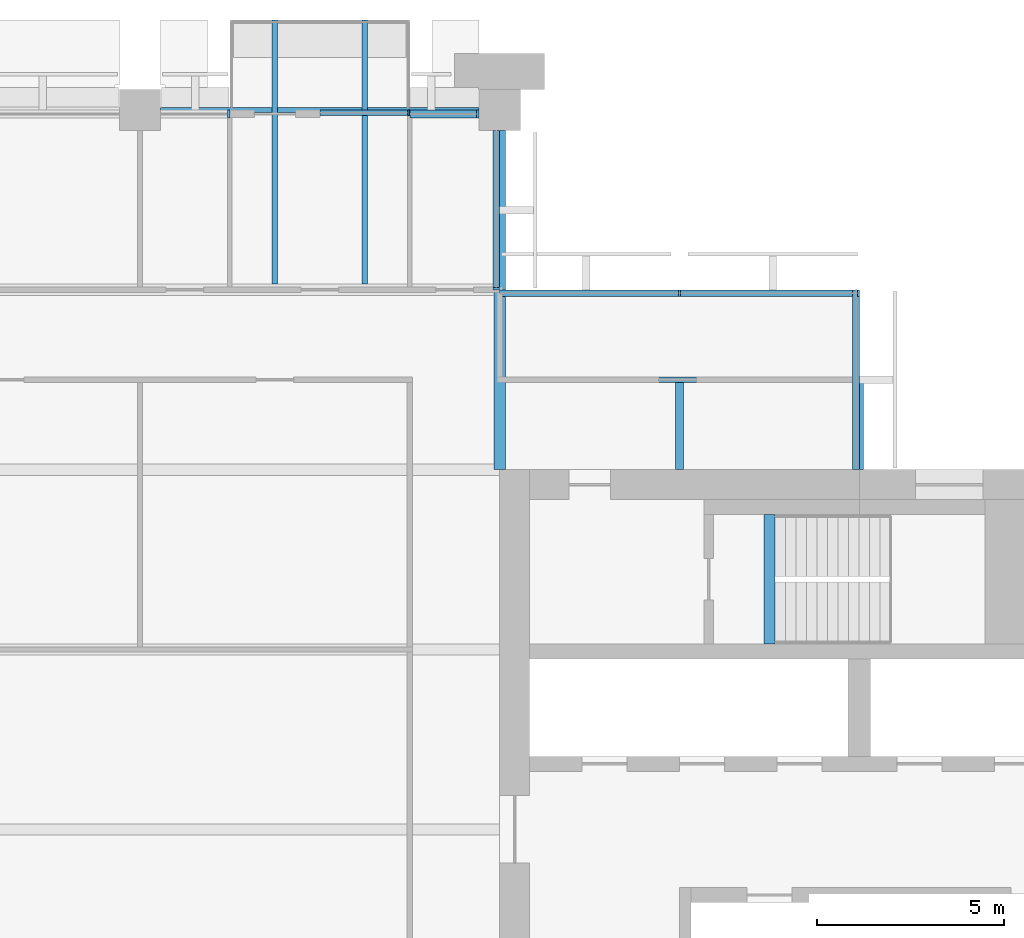
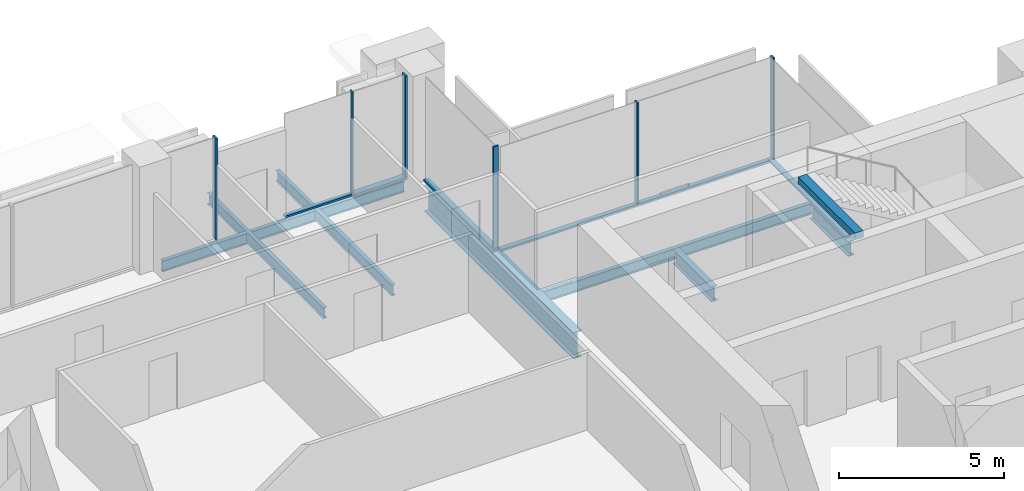
# One storey, part 6 of 14: 11 members, 10 beams, 6 elements without a shape of their own.
"""IFC4 building model written with IfcOpenShell, lengths in metres."""

from ifc_helpers import new_model, si_unit, direction, frame, origin, origin_2d, place, context, subcontext, project, spatial, rectangle, i_section, extrude, material, material_profile, profile_set, type_object, element, aggregate, save


model = new_model("IFC4")

# Units and contexts
model_context = context("Model", 3, precision=1e-05, world=origin(), true_north=direction((0.0, 1.0)))
body_context = subcontext(model_context, "Body", "Model", "MODEL_VIEW")
ifc_project = project(units=[si_unit("LENGTHUNIT", "METRE"), si_unit("AREAUNIT", "SQUARE_METRE"), si_unit("VOLUMEUNIT", "CUBIC_METRE"), si_unit("PLANEANGLEUNIT", "RADIAN"), si_unit("MASSUNIT", "GRAM", prefix="KILO")], contexts=[model_context])

# Site, building, storey
site_placement = place(None, origin())
site = spatial("IfcSite", under=ifc_project, at=site_placement, CompositionType="ELEMENT")
building_placement = place(site_placement, origin())
building = spatial("IfcBuilding", under=site, at=building_placement, Name="Baori Bourse Tower", CompositionType="ELEMENT")
storey_placement = place(building_placement, frame((0.0, 0.0, 221.199951171875)))
storey = spatial("IfcBuildingStorey", under=building, at=storey_placement, Name="L48", CompositionType="ELEMENT", Elevation=221.199951171875)

# Beams
ifc_material_1 = material(Name="Steel A992 Gr 50", Category="steel")
ifc_material_profile_1 = material_profile(ifc_material_1, i_section(OverallWidth=0.140380859375, OverallDepth=0.40380859375, WebThickness=0.007080078125, FlangeThickness=0.01123046875, at=origin_2d()), Name="W16x31")
ifc_profile_set_1 = profile_set([ifc_material_profile_1], Name="Steel A992 Gr 50")
beam_type_1 = type_object("IfcBeamType", Name="Balcony beam W16x31", PredefinedType="BEAM", material=ifc_profile_set_1)
for number, where, z_axis, x_axis, name in (
    (1, (32.39990234375, 50.39990234375, -0.36181640625), (0.0, -1.0, 0.0), (1.0, 0.0, 0.0), "Balcony beam L48"),
    (2, (34.800048828125, 50.39990234375, -0.36181640625), (0.0, -1.0, 0.0), (1.0, 0.0, 0.0), "Balcony beam L48"),
):
    element("IfcBeam", number, at=place(storey_placement, frame(where, z_axis=z_axis, x_axis=x_axis)), inside=storey, type_object=beam_type_1, Name=name, PredefinedType="BEAM", context=body_context, shape_type="SweptSolid", body=[
        extrude(i_section(OverallWidth=0.140380859375, OverallDepth=0.40380859375, WebThickness=0.007080078125, FlangeThickness=0.01123046875, at=origin_2d()), origin(), (0.0, 0.0, 1.0), 7.050048828125),
    ])

# Curtain wall, members
ifc_material_2 = material(Name="Pale anodised aluminium", Category="aluminium")
curtain_wall_type_1 = type_object("IfcCurtainWallType", Name="CW2 Curtain wall", PredefinedType="NOTDEFINED", material=ifc_material_2)
curtain_wall_1_placement = place(storey_placement, origin())
curtain_wall_1 = element("IfcCurtainWall", 3, at=curtain_wall_1_placement, inside=storey, type_object=curtain_wall_type_1, Name="Curtain wall CW2 L48 2", PredefinedType="NOTDEFINED")
ifc_material_3 = material(Name="Pale anodised aluminium", Category="aluminium")
ifc_material_profile_2 = material_profile(ifc_material_3, rectangle(XDim=0.179931640625, YDim=0.054931640625, at=origin_2d()), Name="Mullion 55x180")
ifc_profile_set_2 = profile_set([ifc_material_profile_2], Name="Pale anodised aluminium")
member_type_1 = type_object("IfcMemberType", Name="CW2 Curtain wall mullion", PredefinedType="MULLION", material=ifc_profile_set_2)
member_1_placement = place(storey_placement, frame((47.972412109375, 43.110107421875, 0.070068359375), z_axis=(0.0, 0.0, 1.0), x_axis=(0.0, -1.0, 0.0)))
member_1 = element("IfcMember", 4, at=member_1_placement, type_object=member_type_1, Name="Curtain wall CW2 mullion", PredefinedType="MULLION", context=body_context, shape_type="SweptSolid", body=[
    extrude(rectangle(XDim=0.179931640625, YDim=0.054931640625, at=origin_2d()), origin(), (0.0, 0.0, 1.0), 3.77001953125),
])
member_2_placement = place(storey_placement, frame((43.199951171875, 43.110107421875, 0.070068359375), z_axis=(0.0, 0.0, 1.0), x_axis=(0.0, -1.0, 0.0)))
member_2 = element("IfcMember", 5, at=member_2_placement, type_object=member_type_1, Name="Curtain wall CW2 mullion", PredefinedType="MULLION", context=body_context, shape_type="SweptSolid", body=[
    extrude(rectangle(XDim=0.179931640625, YDim=0.054931640625, at=origin_2d()), origin(), (0.0, 0.0, 1.0), 3.77001953125),
])

# Curtain wall, member
curtain_wall_2_placement = place(storey_placement, origin())
curtain_wall_2 = element("IfcCurtainWall", 6, at=curtain_wall_2_placement, inside=storey, type_object=curtain_wall_type_1, Name="Curtain wall CW2 L48 3", PredefinedType="NOTDEFINED")
member_3_placement = place(storey_placement, frame((38.31005859375, 43.2275390625, 0.070068359375), z_axis=(0.0, 0.0, 1.0), x_axis=(-1.0, 0.0, 0.0)))
member_3 = element("IfcMember", 7, at=member_3_placement, type_object=member_type_1, Name="Curtain wall CW2 mullion", PredefinedType="MULLION", context=body_context, shape_type="SweptSolid", body=[
    extrude(rectangle(XDim=0.179931640625, YDim=0.054931640625, at=origin_2d()), origin(), (0.0, 0.0, 1.0), 3.77001953125),
])

curtain_wall_3_placement = place(storey_placement, origin())
curtain_wall_3 = element("IfcCurtainWall", 8, at=curtain_wall_3_placement, inside=storey, type_object=curtain_wall_type_1, Name="Curtain wall CW2 L48 1", PredefinedType="NOTDEFINED")
ifc_material_4 = material(Name="Pale anodised aluminium", Category="aluminium")
ifc_material_profile_3 = material_profile(ifc_material_4, rectangle(XDim=0.179931640625, YDim=0.070068359375, at=origin_2d()), Name="Transom 70x180")
ifc_profile_set_3 = profile_set([ifc_material_profile_3], Name="Pale anodised aluminium")
member_type_2 = type_object("IfcMemberType", Name="CW2 Curtain wall transom", PredefinedType="USERDEFINED", material=ifc_profile_set_3)
member_4_placement = place(storey_placement, frame((47.909912109375, 38.39990234375, 0.03515625), z_axis=(0.0, 1.0, 0.0), x_axis=(-1.0, 0.0, 0.0)))
member_4 = element("IfcMember", 9, at=member_4_placement, type_object=member_type_2, Name="Curtain wall CW2 sill rail", ObjectType="TRANSOM", PredefinedType="USERDEFINED", context=body_context, shape_type="SweptSolid", body=[
    extrude(rectangle(XDim=0.179931640625, YDim=0.070068359375, at=origin_2d()), origin(), (0.0, 0.0, 1.0), 4.800048828125),
])
aggregate(curtain_wall_3, [member_4])

# Member
member_5_placement = place(storey_placement, frame((48.0, 43.110107421875, 0.03515625), z_axis=(-1.0, 0.0, 0.0), x_axis=(0.0, -1.0, 0.0)))
member_5 = element("IfcMember", 10, at=member_5_placement, type_object=member_type_2, Name="Curtain wall CW2 sill rail", ObjectType="TRANSOM", PredefinedType="USERDEFINED", context=body_context, shape_type="SweptSolid", body=[
    extrude(rectangle(XDim=0.179931640625, YDim=0.070068359375, at=origin_2d()), origin(), (0.0, 0.0, 1.0), 9.60009765625),
])

aggregate(curtain_wall_1, [member_5, member_1, member_2])

member_6_placement = place(storey_placement, frame((38.31005859375, 43.199951171875, 0.03515625), z_axis=(0.0, 1.0, 0.0), x_axis=(-1.0, 0.0, 0.0)))
member_6 = element("IfcMember", 11, at=member_6_placement, type_object=member_type_2, Name="Curtain wall CW2 sill rail", ObjectType="TRANSOM", PredefinedType="USERDEFINED", context=body_context, shape_type="SweptSolid", body=[
    extrude(rectangle(XDim=0.179931640625, YDim=0.070068359375, at=origin_2d()), origin(), (0.0, 0.0, 1.0), 4.25),
])

aggregate(curtain_wall_2, [member_6, member_3])

# Curtain wall, member
ifc_material_5 = material(Name="Pale anodised aluminium", Category="aluminium")
curtain_wall_type_2 = type_object("IfcCurtainWallType", Name="CW5 Curtain wall", PredefinedType="NOTDEFINED", material=ifc_material_5)
curtain_wall_4_placement = place(storey_placement, origin())
curtain_wall_4 = element("IfcCurtainWall", 12, at=curtain_wall_4_placement, inside=storey, type_object=curtain_wall_type_2, Name="Curtain wall CW5 L48 4", PredefinedType="NOTDEFINED")
ifc_material_6 = material(Name="Pale anodised aluminium", Category="aluminium")
ifc_material_profile_4 = material_profile(ifc_material_6, rectangle(XDim=0.219970703125, YDim=0.06494140625, at=origin_2d()), Name="Mullion 65x220")
ifc_profile_set_4 = profile_set([ifc_material_profile_4], Name="Pale anodised aluminium")
member_type_3 = type_object("IfcMemberType", Name="CW5 Curtain wall mullion", PredefinedType="MULLION", material=ifc_profile_set_4)
member_7_placement = place(storey_placement, frame((37.8173828125, 47.889892578125, 0.0849609375), z_axis=(0.0, 0.0, 1.0), x_axis=(0.0, -1.0, 0.0)))
member_7 = element("IfcMember", 13, at=member_7_placement, type_object=member_type_3, Name="Curtain wall CW5 mullion", PredefinedType="MULLION", context=body_context, shape_type="SweptSolid", body=[
    extrude(rectangle(XDim=0.219970703125, YDim=0.06494140625, at=origin_2d()), origin(), (0.0, 0.0, 1.0), 3.755126953125),
])

curtain_wall_5_placement = place(storey_placement, origin())
curtain_wall_5 = element("IfcCurtainWall", 14, at=curtain_wall_5_placement, inside=storey, type_object=curtain_wall_type_2, Name="Curtain wall CW5 L48 6", PredefinedType="NOTDEFINED")
member_8_placement = place(storey_placement, frame((31.16748046875, 47.889892578125, 0.0849609375), z_axis=(0.0, 0.0, 1.0), x_axis=(0.0, -1.0, 0.0)))
member_8 = element("IfcMember", 15, at=member_8_placement, type_object=member_type_3, Name="Curtain wall CW5 mullion", PredefinedType="MULLION", context=body_context, shape_type="SweptSolid", body=[
    extrude(rectangle(XDim=0.219970703125, YDim=0.06494140625, at=origin_2d()), origin(), (0.0, 0.0, 1.0), 3.755126953125),
])
aggregate(curtain_wall_5, [member_8])

# Member
ifc_material_7 = material(Name="Pale anodised aluminium", Category="aluminium")
ifc_material_profile_5 = material_profile(ifc_material_7, rectangle(XDim=0.219970703125, YDim=0.0849609375, at=origin_2d()), Name="Transom 85x220")
ifc_profile_set_5 = profile_set([ifc_material_profile_5], Name="Pale anodised aluminium")
member_type_4 = type_object("IfcMemberType", Name="CW5 Curtain wall transom", PredefinedType="USERDEFINED", material=ifc_profile_set_5)
member_9_placement = place(storey_placement, frame((37.85009765625, 47.889892578125, 0.04248046875), z_axis=(-1.0, 0.0, 0.0), x_axis=(0.0, -1.0, 0.0)))
member_9 = element("IfcMember", 16, at=member_9_placement, type_object=member_type_4, Name="Curtain wall CW5 sill rail", ObjectType="TRANSOM", PredefinedType="USERDEFINED", context=body_context, shape_type="SweptSolid", body=[
    extrude(rectangle(XDim=0.219970703125, YDim=0.0849609375, at=origin_2d()), origin(), (0.0, 0.0, 1.0), 1.85009765625),
])

aggregate(curtain_wall_4, [member_9, member_7])

# Curtain wall, members
ifc_material_8 = material(Name="Pale anodised aluminium", Category="aluminium")
curtain_wall_type_3 = type_object("IfcCurtainWallType", Name="CW6 Curtain wall", PredefinedType="NOTDEFINED", material=ifc_material_8)
curtain_wall_6_placement = place(storey_placement, origin())
curtain_wall_6 = element("IfcCurtainWall", 17, at=curtain_wall_6_placement, inside=storey, type_object=curtain_wall_type_3, Name="Curtain wall CW6 L48 5", PredefinedType="NOTDEFINED")
ifc_material_9 = material(Name="Pale anodised aluminium", Category="aluminium")
ifc_material_profile_6 = material_profile(ifc_material_9, rectangle(XDim=0.14990234375, YDim=0.050048828125, at=origin_2d()), Name="Mullion 50x150")
ifc_profile_set_6 = profile_set([ifc_material_profile_6], Name="Pale anodised aluminium")
member_type_5 = type_object("IfcMemberType", Name="CW6 Curtain wall mullion", PredefinedType="MULLION", material=ifc_profile_set_6)
member_10_placement = place(storey_placement, frame((35.97509765625, 47.925048828125, 0.06494140625), z_axis=(0.0, 0.0, 1.0), x_axis=(0.0, -1.0, 0.0)))
member_10 = element("IfcMember", 18, at=member_10_placement, type_object=member_type_5, Name="Curtain wall CW6 mullion", PredefinedType="MULLION", context=body_context, shape_type="SweptSolid", body=[
    extrude(rectangle(XDim=0.14990234375, YDim=0.050048828125, at=origin_2d()), origin(), (0.0, 0.0, 1.0), 3.775146484375),
])
ifc_material_10 = material(Name="Pale anodised aluminium", Category="aluminium")
ifc_material_profile_7 = material_profile(ifc_material_10, rectangle(XDim=0.14990234375, YDim=0.06494140625, at=origin_2d()), Name="Transom 65x150")
ifc_profile_set_7 = profile_set([ifc_material_profile_7], Name="Pale anodised aluminium")
member_type_6 = type_object("IfcMemberType", Name="CW6 Curtain wall transom", PredefinedType="USERDEFINED", material=ifc_profile_set_7)
member_11_placement = place(storey_placement, frame((36.0, 47.925048828125, 0.032470703125), z_axis=(-1.0, 0.0, 0.0), x_axis=(0.0, -1.0, 0.0)))
member_11 = element("IfcMember", 19, at=member_11_placement, type_object=member_type_6, Name="Curtain wall CW6 sill rail", ObjectType="TRANSOM", PredefinedType="USERDEFINED", context=body_context, shape_type="SweptSolid", body=[
    extrude(rectangle(XDim=0.14990234375, YDim=0.06494140625, at=origin_2d()), origin(), (0.0, 0.0, 1.0), 2.39990234375),
])
aggregate(curtain_wall_6, [member_11, member_10])

# Beams
ifc_material_11 = material(Name="Steel A992 Gr 50", Category="steel")
ifc_material_profile_8 = material_profile(ifc_material_11, i_section(OverallWidth=0.21240234375, OverallDepth=0.54345703125, WebThickness=0.01318359375, FlangeThickness=0.021240234375, at=origin_2d()), Name="W21x83")
ifc_profile_set_8 = profile_set([ifc_material_profile_8], Name="Steel A992 Gr 50")
beam_type_2 = type_object("IfcBeamType", Name="Core bracket W21x83", PredefinedType="BEAM", material=ifc_profile_set_8)
for number, where, z_axis, x_axis, name in (
    (20, (43.199951171875, 38.39990234375, -0.431640625), (0.0, 1.0, 0.0), (-1.0, 0.0, 0.0), "Core bracket L48"),
    (21, (48.0, 38.39990234375, -0.431640625), (0.0, 1.0, 0.0), (-1.0, 0.0, 0.0), "Core bracket L48"),
):
    element("IfcBeam", number, at=place(storey_placement, frame(where, z_axis=z_axis, x_axis=x_axis)), inside=storey, type_object=beam_type_2, Name=name, PredefinedType="BEAM", context=body_context, shape_type="SweptSolid", body=[
        extrude(i_section(OverallWidth=0.21240234375, OverallDepth=0.54345703125, WebThickness=0.01318359375, FlangeThickness=0.021240234375, at=origin_2d()), origin(), (0.0, 0.0, 1.0), 2.329833984375),
    ])
ifc_material_12 = material(Name="Steel A992 Gr 50", Category="steel")
ifc_material_profile_9 = material_profile(ifc_material_12, i_section(OverallWidth=0.140380859375, OverallDepth=0.40380859375, WebThickness=0.007080078125, FlangeThickness=0.01123046875, at=origin_2d()), Name="W16x31")
ifc_profile_set_9 = profile_set([ifc_material_profile_9], Name="Steel A992 Gr 50")
beam_type_3 = type_object("IfcBeamType", Name="Edge beam W16x31", PredefinedType="BEAM", material=ifc_profile_set_9)
beam_1_placement = place(storey_placement, frame((29.35009765625, 48.0, -0.36181640625), z_axis=(1.0, 0.0, 0.0), x_axis=(0.0, 1.0, 0.0)))
element("IfcBeam", 22, at=beam_1_placement, inside=storey, type_object=beam_type_3, Name="Edge beam L48", PredefinedType="BEAM", context=body_context, shape_type="SweptSolid", body=[
    extrude(i_section(OverallWidth=0.140380859375, OverallDepth=0.40380859375, WebThickness=0.007080078125, FlangeThickness=0.01123046875, at=origin_2d()), origin(), (0.0, 0.0, 1.0), 2.979736328125),
])
beam_2_placement = place(storey_placement, frame((32.47021484375, 48.0, -0.36181640625), z_axis=(1.0, 0.0, 0.0), x_axis=(0.0, 1.0, 0.0)))
element("IfcBeam", 23, at=beam_2_placement, inside=storey, type_object=beam_type_3, Name="Edge beam L48", PredefinedType="BEAM", context=body_context, shape_type="SweptSolid", body=[
    extrude(i_section(OverallWidth=0.140380859375, OverallDepth=0.40380859375, WebThickness=0.007080078125, FlangeThickness=0.01123046875, at=origin_2d()), origin(), (0.0, 0.0, 1.0), 2.259521484375),
])
beam_3_placement = place(storey_placement, frame((34.8701171875, 48.0, -0.36181640625), z_axis=(1.0, 0.0, 0.0), x_axis=(0.0, 1.0, 0.0)))
element("IfcBeam", 24, at=beam_3_placement, inside=storey, type_object=beam_type_3, Name="Edge beam L48", PredefinedType="BEAM", context=body_context, shape_type="SweptSolid", body=[
    extrude(i_section(OverallWidth=0.140380859375, OverallDepth=0.40380859375, WebThickness=0.007080078125, FlangeThickness=0.01123046875, at=origin_2d()), origin(), (0.0, 0.0, 1.0), 2.97998046875),
])
ifc_material_13 = material(Name="Steel A992 Gr 50", Category="steel")
ifc_material_profile_10 = material_profile(ifc_material_13, i_section(OverallWidth=0.2998046875, OverallDepth=0.97021484375, WebThickness=0.01611328125, FlangeThickness=0.02099609375, at=origin_2d()), Name="W40x149")
ifc_profile_set_10 = profile_set([ifc_material_profile_10], Name="Steel A992 Gr 50")
beam_type_4 = type_object("IfcBeamType", Name="Girder W40x149", PredefinedType="BEAM", material=ifc_profile_set_10)
beam_4_placement = place(storey_placement, frame((38.39990234375, 38.39990234375, -0.64501953125), z_axis=(0.0, 1.0, 0.0), x_axis=(-1.0, 0.0, 0.0)))
element("IfcBeam", 25, at=beam_4_placement, inside=storey, type_object=beam_type_4, Name="Girder L48", PredefinedType="BEAM", context=body_context, shape_type="SweptSolid", body=[
    extrude(i_section(OverallWidth=0.2998046875, OverallDepth=0.97021484375, WebThickness=0.01611328125, FlangeThickness=0.02099609375, at=origin_2d()), origin(), (0.0, 0.0, 1.0), 9.050048828125),
])
ifc_material_14 = material(Name="Concrete f'c 50 MPa", Category="concrete")
ifc_material_profile_11 = material_profile(ifc_material_14, rectangle(XDim=0.300048828125, YDim=0.25, at=origin_2d()), Name="RC 300x250")
ifc_profile_set_11 = profile_set([ifc_material_profile_11], Name="Concrete f'c 50 MPa")
beam_type_5 = type_object("IfcBeamType", Name="Stair nib beam RC 300x250", PredefinedType="BEAM", material=ifc_profile_set_11)
beam_5_placement = place(storey_placement, frame((45.60009765625, 33.75, 3.715087890625), z_axis=(0.0, 1.0, 0.0), x_axis=(-1.0, 0.0, 0.0)))
element("IfcBeam", 26, at=beam_5_placement, inside=storey, type_object=beam_type_5, Name="Stair EB nib beam L49", PredefinedType="BEAM", context=body_context, shape_type="SweptSolid", body=[
    extrude(rectangle(XDim=0.300048828125, YDim=0.25, at=origin_2d()), origin(), (0.0, 0.0, 1.0), 3.449951171875),
])
ifc_material_15 = material(Name="Steel A992 Gr 50", Category="steel")
ifc_material_profile_12 = material_profile(ifc_material_15, i_section(OverallWidth=0.140380859375, OverallDepth=0.40380859375, WebThickness=0.007080078125, FlangeThickness=0.01123046875, at=origin_2d()), Name="W16x31")
ifc_profile_set_12 = profile_set([ifc_material_profile_12], Name="Steel A992 Gr 50")
beam_type_6 = type_object("IfcBeamType", Name="Trimmer beam W16x31", PredefinedType="BEAM", material=ifc_profile_set_12)
beam_6_placement = place(storey_placement, frame((38.5498046875, 40.800048828125, -0.36181640625), z_axis=(1.0, 0.0, 0.0), x_axis=(0.0, 1.0, 0.0)))
element("IfcBeam", 27, at=beam_6_placement, inside=storey, type_object=beam_type_6, Name="Trimmer beam L48", PredefinedType="BEAM", context=body_context, shape_type="SweptSolid", body=[
    extrude(i_section(OverallWidth=0.140380859375, OverallDepth=0.40380859375, WebThickness=0.007080078125, FlangeThickness=0.01123046875, at=origin_2d()), origin(), (0.0, 0.0, 1.0), 9.4501953125),
])

save(model, "model.ifc")
